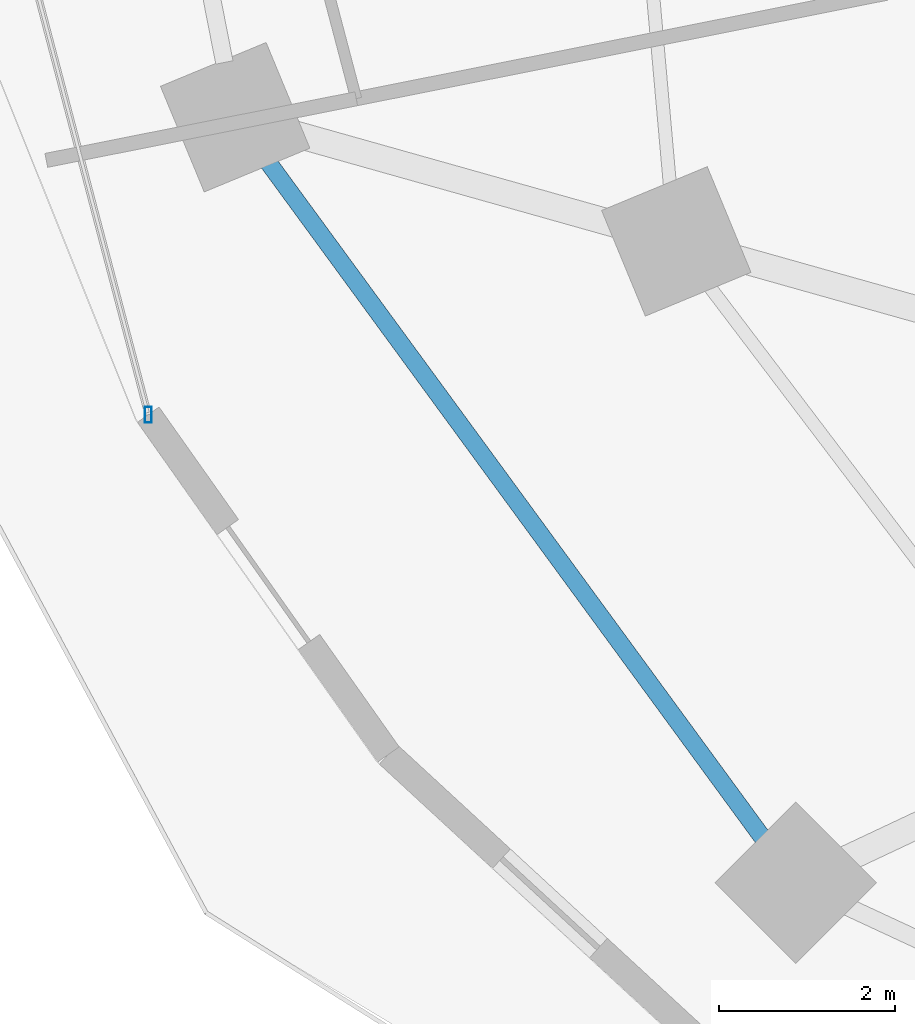
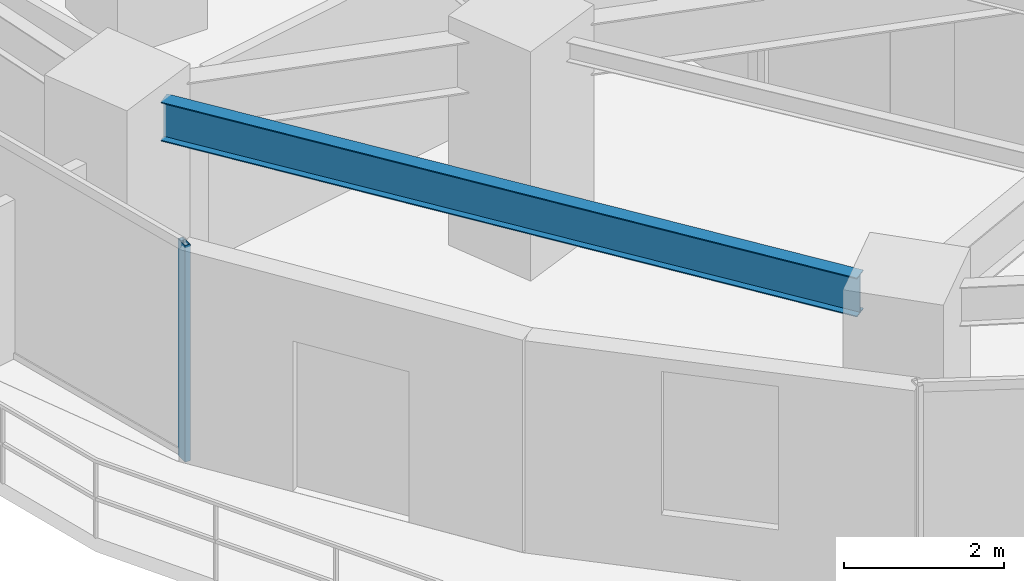
# One storey, part 3 of 33: 1 beam, 1 member, 1 element without a shape of its own.
"""IFC4 building model written with IfcOpenShell, lengths in metres."""

from ifc_helpers import new_model, si_unit, direction, frame, origin, origin_2d, place, context, subcontext, project, spatial, hollow_rectangle, i_section, extrude, material, material_profile, profile_set, type_object, element, aggregate, save


model = new_model("IFC4")

# Units and contexts
model_context = context("Model", 3, precision=1e-05, world=origin(), true_north=direction((0.0, 1.0)))
body_context = subcontext(model_context, "Body", "Model", "MODEL_VIEW")
ifc_project = project(units=[si_unit("LENGTHUNIT", "METRE"), si_unit("AREAUNIT", "SQUARE_METRE"), si_unit("VOLUMEUNIT", "CUBIC_METRE"), si_unit("PLANEANGLEUNIT", "RADIAN"), si_unit("MASSUNIT", "GRAM", prefix="KILO")], contexts=[model_context])

# Site, building, storey
site_placement = place(None, origin())
site = spatial("IfcSite", under=ifc_project, at=site_placement, CompositionType="ELEMENT")
building_placement = place(site_placement, origin())
building = spatial("IfcBuilding", under=site, at=building_placement, Name="Vorneva Point Tower", CompositionType="ELEMENT")
storey_placement = place(building_placement, frame((0.0, 0.0, 38.0)))
storey = spatial("IfcBuildingStorey", under=building, at=storey_placement, Name="L09", CompositionType="ELEMENT", Elevation=38.0)

# Beam
ifc_material_1 = material(Name="Steel S355", Category="steel")
ifc_material_profile_1 = material_profile(ifc_material_1, i_section(OverallWidth=0.198974609375, OverallDepth=0.595947265625, WebThickness=0.010009765625, FlangeThickness=0.014892578125, at=origin_2d()), Name="60B1")
ifc_profile_set_1 = profile_set([ifc_material_profile_1], Name="Steel S355")
beam_type = type_object("IfcBeamType", Name="BM-SPN-60B1", PredefinedType="SPANDREL", material=ifc_profile_set_1)
beam_placement = place(storey_placement, frame((12.063232421875, 20.317138671875, 2.94189453125), z_axis=(0.59073079975, -0.806868714369, 0.0), x_axis=(0.806868714369, 0.59073079975, 0.0)))
element("IfcBeam", 1, at=beam_placement, inside=storey, type_object=beam_type, Name="L09 Perimeter Spandrel Ring Beam 10", PredefinedType="SPANDREL", context=body_context, shape_type="SweptSolid", body=[
    extrude(i_section(OverallWidth=0.198974609375, OverallDepth=0.595947265625, WebThickness=0.010009765625, FlangeThickness=0.014892578125, at=origin_2d()), origin(), (0.0, 0.0, 1.0), 9.518798828125),
])

# Curtain wall, member
ifc_material_2 = material(Name="Pale anodised aluminium", Category="aluminium")
curtain_wall_type = type_object("IfcCurtainWallType", Name="CW-HTL-SYS", PredefinedType="NOTDEFINED", material=ifc_material_2)
curtain_wall_placement = place(storey_placement, origin())
curtain_wall = element("IfcCurtainWall", 2, at=curtain_wall_placement, inside=storey, type_object=curtain_wall_type, Name="L09 Unitised Curtain Wall CW-L09-R03", PredefinedType="NOTDEFINED")
ifc_material_profile_2 = material_profile(ifc_material_2, hollow_rectangle(XDim=0.074951171875, YDim=0.179931640625, WallThickness=0.00390625, at=origin_2d()), Name="AL-MUL 180x75x4")
ifc_profile_set_2 = profile_set([ifc_material_profile_2], Name="Pale anodised aluminium")
member_type = type_object("IfcMemberType", Name="CW-MUL-180", PredefinedType="MULLION", material=ifc_profile_set_2)
member_placement = place(storey_placement, frame((10.699462890625, 17.447021484375, -0.0400390625), z_axis=(0.0, 0.0, 1.0), x_axis=(1.0, 0.0, 0.0)))
member = element("IfcMember", 3, at=member_placement, type_object=member_type, Name="CW-L09-R03 Mullion 04", PredefinedType="MULLION", context=body_context, shape_type="SweptSolid", body=[
    extrude(hollow_rectangle(XDim=0.074951171875, YDim=0.179931640625, WallThickness=0.00390625, at=origin_2d()), origin(), (0.0, 0.0, 1.0), 3.31005859375),
])
aggregate(curtain_wall, [member])

save(model, "model.ifc")
